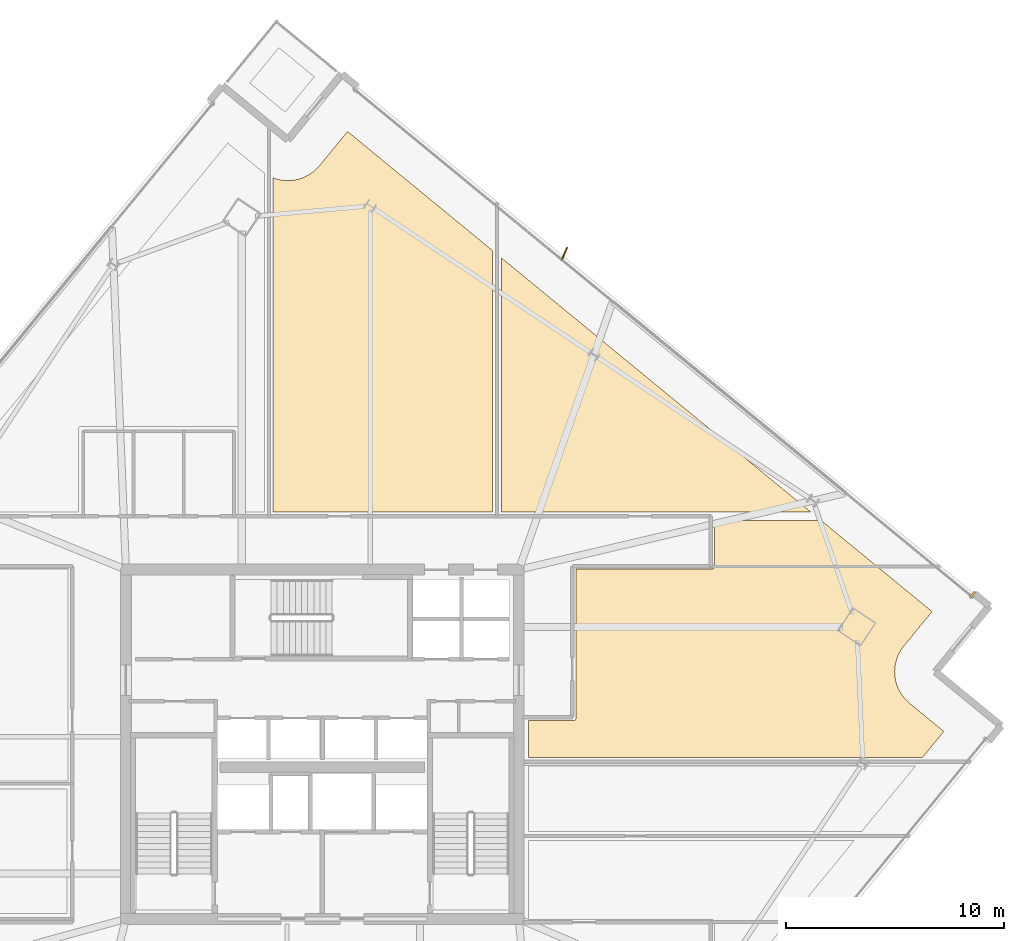
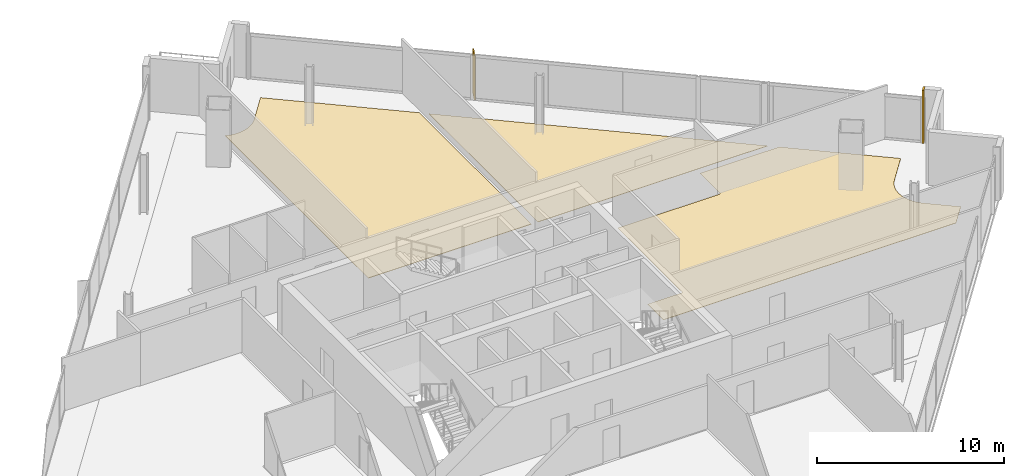
# One storey, part 28 of 28: 4 coverings, 1 shading device.
"""IFC4 building model written with IfcOpenShell, lengths in metres."""

from ifc_helpers import new_model, si_unit, direction, frame, origin, origin_2d, place, context, subcontext, project, spatial, polyline, rectangle, outline, extrude, source, transform, mapped, material, layer, layer_set, type_object, element, save


model = new_model("IFC4")

# Units and contexts
model_context = context("Model", 3, precision=1e-05, world=origin(), true_north=direction((0.0, 1.0)))
body_context = subcontext(model_context, "Body", "Model", "MODEL_VIEW")
ifc_project = project(units=[si_unit("LENGTHUNIT", "METRE"), si_unit("AREAUNIT", "SQUARE_METRE"), si_unit("VOLUMEUNIT", "CUBIC_METRE"), si_unit("PLANEANGLEUNIT", "RADIAN"), si_unit("MASSUNIT", "GRAM", prefix="KILO")], contexts=[model_context])

# Site, building, storey
site_placement = place(None, origin())
site = spatial("IfcSite", under=ifc_project, at=site_placement, CompositionType="ELEMENT")
building_placement = place(site_placement, origin())
building = spatial("IfcBuilding", under=site, at=building_placement, Name="Haldenkirk Collegiate Tower", CompositionType="ELEMENT")
storey_placement = place(building_placement, frame((0.0, 0.0, 198.449951171875)))
storey = spatial("IfcBuildingStorey", under=building, at=storey_placement, Name="L49", CompositionType="ELEMENT", Elevation=198.449951171875)

# Coverings
ifc_material_1 = material(Name="Polished collegiate terrazzo", Category="concrete")
ifc_layer_1 = layer(ifc_material_1, 0.02490234375)
ifc_layer_set_1 = layer_set([ifc_layer_1], Name="Polished collegiate terrazzo")
covering_type_1 = type_object("IfcCoveringType", Name="COV-FLOOR-TERRAZZO", PredefinedType="FLOORING", material=ifc_layer_set_1)
covering_1_placement = place(storey_placement, origin())
element("IfcCovering", 1, at=covering_1_placement, inside=storey, type_object=covering_type_1, Name="L49 academic room finish 08", PredefinedType="FLOORING", context=body_context, shape_type="SweptSolid", body=[
    extrude(outline(polyline([(33.75, 51.952880859375), (33.871826171875, 51.9091796875), (33.88330078125, 51.906005859375), (34.0498046875, 51.864013671875), (34.061279296875, 51.86181640625), (34.231201171875, 51.83642578125), (34.242919921875, 51.835205078125), (34.414306640625, 51.826904296875), (34.42626953125, 51.826904296875), (34.597900390625, 51.835205078125), (34.609375, 51.83642578125), (34.779296875, 51.861572265625), (34.791015625, 51.86376953125), (34.95751953125, 51.905517578125), (34.96875, 51.90869140625), (35.130615234375, 51.966552734375), (35.141357421875, 51.97119140625), (35.296630859375, 52.04443359375), (35.306884765625, 52.050048828125), (35.454345703125, 52.13818359375), (35.464111328125, 52.144775390625), (35.60205078125, 52.2470703125), (35.611328125, 52.25439453125), (35.738525390625, 52.369873046875), (35.746826171875, 52.378173828125), (35.8623046875, 52.50537109375), (35.8662109375, 52.509765625), (37.15478515625, 54.078369140625), (43.800048828125, 48.619873046875), (43.800048828125, 36.64990234375), (33.75, 36.64990234375), (33.75, 51.952880859375)])), origin(), (0.0, 0.0, 1.0), 0.025146484375),
])
ifc_material_2 = material(Name="Engineered collegiate oak acoustic flooring", Category="wood")
ifc_layer_2 = layer(ifc_material_2, 0.02197265625)
ifc_layer_set_2 = layer_set([ifc_layer_2], Name="Engineered collegiate oak acoustic flooring")
covering_type_2 = type_object("IfcCoveringType", Name="COV-FLOOR-TIMBER", PredefinedType="FLOORING", material=ifc_layer_set_2)
covering_2_placement = place(storey_placement, origin())
element("IfcCovering", 2, at=covering_2_placement, inside=storey, type_object=covering_type_2, Name="L49 academic room finish 09", PredefinedType="FLOORING", context=body_context, shape_type="SweptSolid", body=[
    extrude(outline(polyline([(58.372314453125, 36.64990234375), (44.199951171875, 36.64990234375), (44.199951171875, 48.291259765625), (58.372314453125, 36.64990234375)])), origin(), (0.0, 0.0, 1.0), 0.02197265625),
])
covering_3_placement = place(storey_placement, origin())
element("IfcCovering", 3, at=covering_3_placement, inside=storey, type_object=covering_type_2, Name="L49 academic room finish 13", PredefinedType="FLOORING", context=body_context, shape_type="SweptSolid", body=[
    extrude(outline(polyline([(62.649169921875, 30.510009765625), (62.6455078125, 30.50537109375), (62.543212890625, 30.367431640625), (62.53662109375, 30.357666015625), (62.4482421875, 30.210205078125), (62.442626953125, 30.199951171875), (62.369140625, 30.044921875), (62.364501953125, 30.033935546875), (62.306640625, 29.872314453125), (62.30322265625, 29.86083984375), (62.261474609375, 29.6943359375), (62.25927734375, 29.682861328125), (62.23388671875, 29.512939453125), (62.232666015625, 29.501220703125), (62.22412109375, 29.32958984375), (62.22412109375, 29.31787109375), (62.232666015625, 29.146240234375), (62.23388671875, 29.134765625), (62.2587890625, 28.96484375), (62.26123046875, 28.953125), (62.302734375, 28.78662109375), (62.30615234375, 28.775390625), (62.364013671875, 28.613525390625), (62.368408203125, 28.602783203125), (62.44189453125, 28.447509765625), (62.447509765625, 28.43701171875), (62.53564453125, 28.289794921875), (62.542236328125, 28.280029296875), (62.644287109375, 28.14208984375), (62.65185546875, 28.1328125), (62.76708984375, 28.005615234375), (62.775390625, 27.997314453125), (62.902587890625, 27.8818359375), (62.906982421875, 27.8779296875), (64.4755859375, 26.589599609375), (63.498779296875, 25.39990234375), (45.449951171875, 25.39990234375), (45.449951171875, 27.080078125), (47.5, 27.080078125), (47.51171875, 27.08056640625), (47.5234375, 27.082275390625), (47.534912109375, 27.085205078125), (47.5458984375, 27.089111328125), (47.556640625, 27.09423828125), (47.566650390625, 27.10009765625), (47.576171875, 27.107177734375), (47.5849609375, 27.114990234375), (47.5927734375, 27.123779296875), (47.599853515625, 27.13330078125), (47.605712890625, 27.143310546875), (47.61083984375, 27.154052734375), (47.61474609375, 27.165283203125), (47.61767578125, 27.176513671875), (47.619384765625, 27.188232421875), (47.6201171875, 27.199951171875), (47.6201171875, 34.030029296875), (53.85009765625, 34.030029296875), (53.86181640625, 34.030517578125), (53.873291015625, 34.0322265625), (53.884765625, 34.03515625), (53.89599609375, 34.0390625), (53.906494140625, 34.044189453125), (53.916748046875, 34.05029296875), (53.926025390625, 34.05712890625), (53.934814453125, 34.065185546875), (53.94287109375, 34.073974609375), (53.94970703125, 34.083251953125), (53.955810546875, 34.093505859375), (53.9609375, 34.10400390625), (53.96484375, 34.115234375), (53.9677734375, 34.126708984375), (53.969482421875, 34.13818359375), (53.969970703125, 34.14990234375), (53.969970703125, 36.25), (58.859130859375, 36.25), (63.9375, 32.07861328125), (62.649169921875, 30.510009765625)])), origin(), (0.0, 0.0, 1.0), 0.02197265625),
])
ifc_material_3 = material(Name="Anodised architectural bronze aluminium", Category="aluminium")
ifc_layer_3 = layer(ifc_material_3, 0.06005859375)
ifc_layer_set_3 = layer_set([ifc_layer_3], Name="Anodised architectural bronze aluminium")
covering_type_3 = type_object("IfcCoveringType", Name="COV-CLAD-BRONZE-60", PredefinedType="CLADDING", material=ifc_layer_set_3)
shared_shape_1 = source(origin(), body_context, "Body", "SweptSolid", [
    extrude(rectangle(XDim=0.10009765625, YDim=0.3798828125, at=origin_2d()), origin(), (0.0, 0.0, 1.0), 3.469970703125),
])
covering_4_placement = place(storey_placement, frame((65.793701171875, 32.857421875, 0.0), z_axis=(0.0, 0.0, 1.0), x_axis=(0.772733573497, -0.634730513202, 0.0)))
element("IfcCovering", 4, at=covering_4_placement, inside=storey, type_object=covering_type_3, Name="L49 recessed curtain-wall bronze jamb closure EJR", PredefinedType="CLADDING", context=body_context, shape_type="MappedRepresentation", body=[
    mapped(shared_shape_1, transform((0.0, 0.0, 0.0), x_axis=(1.0, 0.0, 0.0), y_axis=(0.0, 1.0, 0.0), z_axis=(0.0, 0.0, 1.0), scale=1.0)),
])

# Shading device
ifc_layer_4 = layer(ifc_material_3, 0.06494140625)
ifc_layer_set_4 = layer_set([ifc_layer_4], Name="Anodised architectural bronze aluminium")
shading_device_type = type_object("IfcShadingDeviceType", Name="SHD-FIN-BRONZE-620", PredefinedType="USERDEFINED", material=ifc_layer_set_4)
shared_shape_2 = source(origin(), body_context, "Body", "SweptSolid", [
    extrude(rectangle(XDim=0.6201171875, YDim=0.06494140625, at=origin_2d()), origin(), (0.0, 0.0, 1.0), 2.927978515625),
])
shading_device_placement = place(storey_placement, frame((47.09228515625, 48.484375, 0.0), z_axis=(0.0, 0.0, 1.0), x_axis=(0.397147890635, 0.917754625684, 0.0)))
element("IfcShadingDevice", 5, at=shading_device_placement, inside=storey, type_object=shading_device_type, Name="L49 folded bronze solar fin 1", ObjectType="FIN", PredefinedType="USERDEFINED", context=body_context, shape_type="MappedRepresentation", body=[
    mapped(shared_shape_2, transform((0.0, 0.0, 0.0), x_axis=(1.0, 0.0, 0.0), y_axis=(0.0, 1.0, 0.0), z_axis=(0.0, 0.0, 1.0), scale=1.0)),
])

save(model, "model.ifc")
